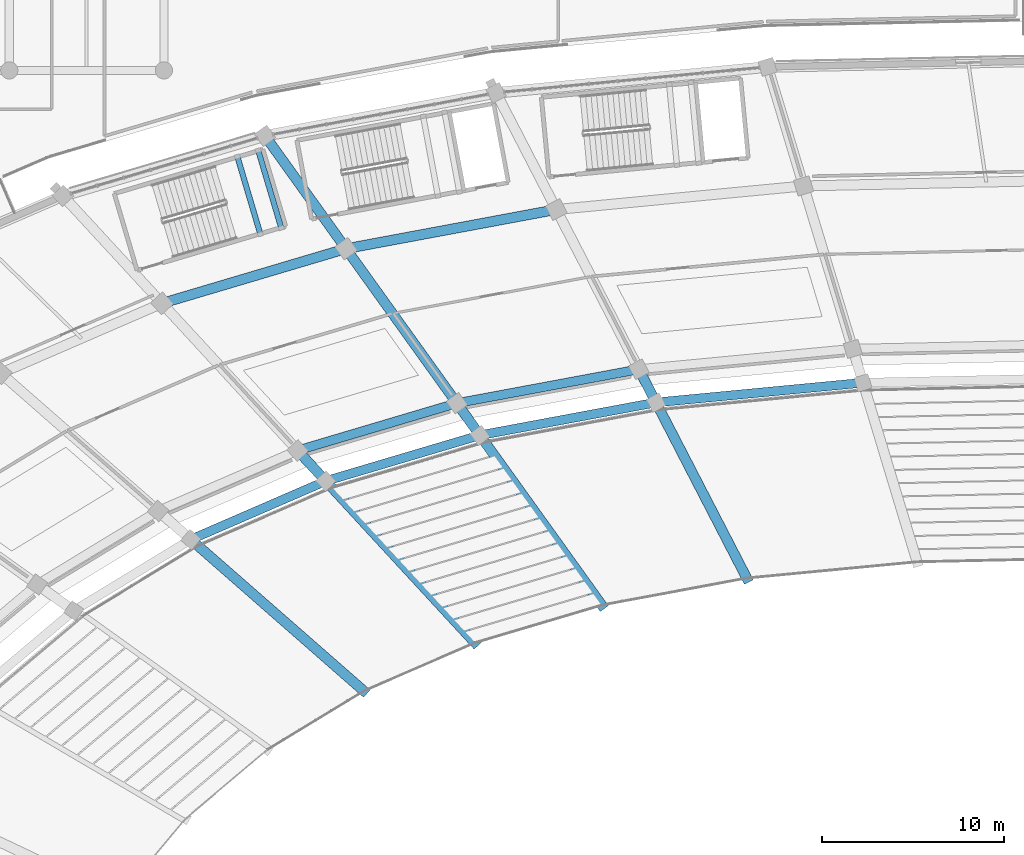
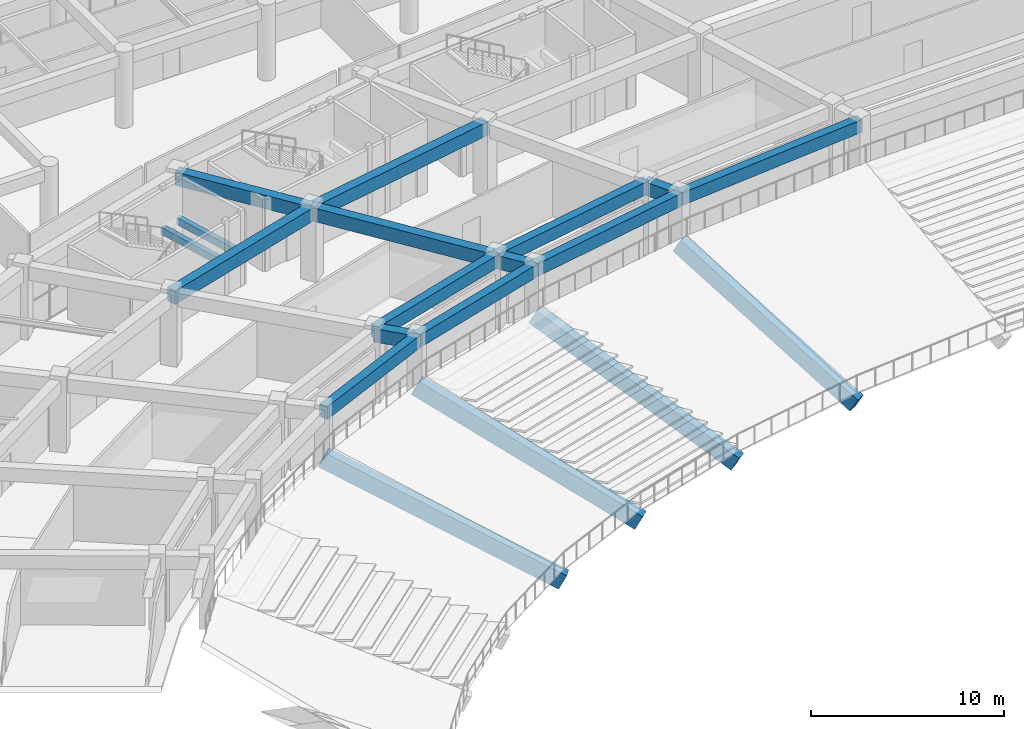
# One storey, part 62 of 152: 19 beams.
"""IFC4 building model written with IfcOpenShell, lengths in metres."""

import ifcopenshell
import ifcopenshell.guid

model = None  # the IFC model being written
_history = None  # IfcOwnerHistory: only IFC2X3 demands one
_inside = {}  # id of a spatial element -> (the spatial element, [elements in it])
_under = {}  # id of a project, library or spatial element -> (it, [spatial elements below it])
_declared = {}  # id of a project -> (the project, [libraries it declares])
_typed = {}  # id of a type object -> (the type object, [elements of that type])
_made_of = {}  # id of a material, layer set ... -> (it, [elements and type objects made of it])


def new_model(schema):
    """Start an empty IFC model of exactly this schema.

    Asked for "IFC4X3", IfcOpenShell would pick the latest addendum, in which some entities
    have other attributes; the version numbers below select the first issue.
    IFC2X3 requires an IfcOwnerHistory on every rooted entity: one is made here for all.
    """
    global model, _history
    if schema == "IFC4X3":
        model = ifcopenshell.file(schema_version=(4, 3, 0, 0))
    else:
        model = ifcopenshell.file(schema=schema)
    _inside.clear()
    _under.clear()
    _declared.clear()
    _typed.clear()
    _made_of.clear()
    _history = None
    if model.schema == "IFC2X3":
        org = make("IfcOrganization", Name="unknown")
        user = make(
            "IfcPersonAndOrganization",
            ThePerson=make("IfcPerson", FamilyName="unknown"),
            TheOrganization=org,
        )
        app = make(
            "IfcApplication",
            ApplicationDeveloper=org,
            Version="unknown",
            ApplicationFullName="unknown",
            ApplicationIdentifier="unknown",
        )
        _history = make(
            "IfcOwnerHistory",
            OwningUser=user,
            OwningApplication=app,
            ChangeAction="ADDED",
            CreationDate=0,
        )
    return model


def make(cls, **values):
    """One entity of the class cls with the attributes given. An attribute that is None is left unset."""
    return model.create_entity(
        cls, **{name: value for name, value in values.items() if value is not None}
    )


def rooted(cls, **values):
    """An entity with a GlobalId (a new one), such as an element, a storey or a relation."""
    return make(cls, GlobalId=ifcopenshell.guid.new(), OwnerHistory=_history, **values)


def si_unit(unit_type, name, prefix=None):
    """IfcSIUnit, for example si_unit("LENGTHUNIT", "METRE", prefix="MILLI")."""
    return make("IfcSIUnit", UnitType=unit_type, Prefix=prefix, Name=name)


def assignment(units):
    """IfcUnitAssignment: the units of a project."""
    return None if units is None else make("IfcUnitAssignment", Units=units)


def point(xyz):
    """IfcCartesianPoint."""
    return None if xyz is None else make("IfcCartesianPoint", Coordinates=xyz)


def direction(xyz):
    """IfcDirection."""
    return None if xyz is None else make("IfcDirection", DirectionRatios=xyz)


def frame(location, z_axis=None, x_axis=None):
    """IfcAxis2Placement3D, a coordinate frame: its origin and axes. An axis left out is left unset."""
    return make(
        "IfcAxis2Placement3D",
        Location=point(location),
        Axis=direction(z_axis),
        RefDirection=direction(x_axis),
    )


def frame_2d(location, x_axis=None):
    """IfcAxis2Placement2D, a coordinate frame in the plane: its origin and x axis."""
    return make(
        "IfcAxis2Placement2D", Location=point(location), RefDirection=direction(x_axis)
    )


def origin():
    """The frame at (0, 0, 0) with its axes left unset."""
    return frame((0.0, 0.0, 0.0))


def origin_2d():
    """The frame at (0, 0) in the plane with its x axis left unset."""
    return frame_2d((0.0, 0.0))


def place(relative_to, where):
    """IfcLocalPlacement: puts the frame where relative to a parent placement (None: the world)."""
    return make(
        "IfcLocalPlacement", PlacementRelTo=relative_to, RelativePlacement=where
    )


def context(
    kind, dimensions, precision=None, world=None, true_north=None, identifier=None
):
    """IfcGeometricRepresentationContext, for example the 3D "Model" context."""
    return make(
        "IfcGeometricRepresentationContext",
        ContextIdentifier=identifier,
        ContextType=kind,
        CoordinateSpaceDimension=dimensions,
        Precision=precision,
        WorldCoordinateSystem=world,
        TrueNorth=true_north,
    )


def subcontext(parent, identifier, kind, view, scale=None):
    """IfcGeometricRepresentationSubContext, for example "Body" below "Model"."""
    return make(
        "IfcGeometricRepresentationSubContext",
        ContextIdentifier=identifier,
        ContextType=kind,
        ParentContext=parent,
        TargetScale=scale,
        TargetView=view,
    )


def project(units=None, contexts=None):
    """IfcProject with its units and contexts."""
    return rooted(
        "IfcProject",
        Name="project",
        RepresentationContexts=contexts,
        UnitsInContext=assignment(units),
    )


def spatial(cls, under=None, at=None, **own):
    """A site, building, storey or space (cls), placed at a placement, below another one or the project."""
    s = rooted(cls, ObjectPlacement=at, **own)
    if under is not None:
        _under.setdefault(under.id(), (under, []))[1].append(s)
    return s


def profile(cls, at=None, kind="AREA", **sizes):
    """A parametric profile (cls). Its sizes go by their IFC names, for example OverallWidth=200.0."""
    return make(cls, ProfileType=kind, Position=at, **sizes)


def rectangle(**sizes):
    """IfcRectangleProfileDef."""
    return profile("IfcRectangleProfileDef", **sizes)


def extrude(swept, where, along, depth):
    """IfcExtrudedAreaSolid: the profile swept, set in the frame where, extruded along a direction by depth."""
    return make(
        "IfcExtrudedAreaSolid",
        SweptArea=swept,
        Position=where,
        ExtrudedDirection=direction(along),
        Depth=depth,
    )


def shape(context_of_items, identifier, shape_type, items):
    """IfcShapeRepresentation: the items that make up one representation, for example the "Body"."""
    return make(
        "IfcShapeRepresentation",
        ContextOfItems=context_of_items,
        RepresentationIdentifier=identifier,
        RepresentationType=shape_type,
        Items=items,
    )


def material(Name=None, Category=None):
    """IfcMaterial."""
    return make("IfcMaterial", Name=Name, Category=Category)


def material_profile(
    of_material, cross_section, Name=None, Category=None, Priority=None
):
    """IfcMaterialProfile: a cross section and its material."""
    return make(
        "IfcMaterialProfile",
        Name=Name,
        Material=of_material,
        Profile=cross_section,
        Priority=Priority,
        Category=Category,
    )


def profile_set(profiles, Name=None, composite=None):
    """IfcMaterialProfileSet."""
    return make(
        "IfcMaterialProfileSet",
        Name=Name,
        MaterialProfiles=profiles,
        CompositeProfile=composite,
    )


def made_of(thing, what):
    """Note that an element or type object is made of a material, layer set ...; save() writes the relation."""
    if what is not None:
        _made_of.setdefault(what.id(), (what, []))[1].append(thing)
    return thing


def type_object(cls, material=None, **own):
    """A type object (cls), such as IfcWallType, which elements share."""
    return made_of(rooted(cls, **own), material)


def element(
    cls,
    number,
    at=None,
    inside=None,
    cuts=None,
    type_object=None,
    material=None,
    context=None,
    identifier="Body",
    shape_type=None,
    held_by="IfcProductDefinitionShape",
    body=None,
    shapes=None,
    **own,
):
    """One element of the class cls, such as IfcWall. Its Tag is "e" and its number.

    at: its placement. inside: the storey or other place that contains it. cuts: it is an
    opening in that element (IfcRelVoidsElement). A single representation is given by context,
    identifier, shape_type and body (its items); several are given by shapes. held_by: the class
    of the entity that holds the representations. save() writes the other relations.
    """
    e = rooted(cls, Tag="e%d" % number, ObjectPlacement=at, **own)
    if body is not None:
        shapes = [shape(context, identifier, shape_type, body)]
    if shapes is not None:
        e.Representation = make(held_by, Representations=shapes)
    if inside is not None:
        _inside.setdefault(inside.id(), (inside, []))[1].append(e)
    if cuts is not None:
        rooted(
            "IfcRelVoidsElement", RelatingBuildingElement=cuts, RelatedOpeningElement=e
        )
    if type_object is not None:
        _typed.setdefault(type_object.id(), (type_object, []))[1].append(e)
    return made_of(e, material)


def aggregate(whole, parts):
    """IfcRelAggregates: a whole, such as a stair, and the parts it consists of."""
    return rooted("IfcRelAggregates", RelatingObject=whole, RelatedObjects=parts)


def save(model, path):
    """Write the relations noted so far, then the file.

    IfcRelAggregates (storeys below a building ...), IfcRelContainedInSpatialStructure (elements
    in a storey), IfcRelDefinesByType, IfcRelAssociatesMaterial and IfcRelDeclares: one each for
    every whole, place, type object, material and project.
    """
    for whole, parts in _under.values():
        aggregate(whole, parts)
    for where, things in _inside.values():
        rooted(
            "IfcRelContainedInSpatialStructure",
            RelatedElements=things,
            RelatingStructure=where,
        )
    for kind, things in _typed.values():
        rooted("IfcRelDefinesByType", RelatedObjects=things, RelatingType=kind)
    for what, things in _made_of.values():
        rooted("IfcRelAssociatesMaterial", RelatedObjects=things, RelatingMaterial=what)
    for by, libraries in _declared.values():
        rooted("IfcRelDeclares", RelatingContext=by, RelatedDefinitions=libraries)
    model.write(path)


model = new_model("IFC4")

# Units and contexts
model_context = context("Model", 3, precision=1e-05, world=origin(), true_north=direction((0.0, 1.0)))
body_context = subcontext(model_context, "Body", "Model", "MODEL_VIEW")
ifc_project = project(units=[si_unit("LENGTHUNIT", "METRE"), si_unit("AREAUNIT", "SQUARE_METRE"), si_unit("VOLUMEUNIT", "CUBIC_METRE"), si_unit("PLANEANGLEUNIT", "RADIAN"), si_unit("MASSUNIT", "GRAM", prefix="KILO")], contexts=[model_context])

# Site, building, storey
site_placement = place(None, origin())
site = spatial("IfcSite", under=ifc_project, at=site_placement, CompositionType="ELEMENT")
building_placement = place(site_placement, origin())
building = spatial("IfcBuilding", under=site, at=building_placement, Name="Mphavela Belvedere Stadium", CompositionType="ELEMENT")
storey_placement = place(building_placement, frame((0.0, 0.0, 5.39990234375)))
storey = spatial("IfcBuildingStorey", under=building, at=storey_placement, Name="L01", CompositionType="ELEMENT", Elevation=5.39990234375)

# Beams
ifc_material_1 = material(Name="Precast concrete C45/55", Category="concrete")
ifc_material_profile_1 = material_profile(ifc_material_1, rectangle(XDim=0.550048828125, YDim=1.0, at=origin_2d()), Name="PC 550x1000")
ifc_profile_set_1 = profile_set([ifc_material_profile_1], Name="Precast concrete C45/55")
beam_type_1 = type_object("IfcBeamType", Name="BM-RAKER-LOWER", PredefinedType="USERDEFINED", material=ifc_profile_set_1)
beam_1_placement = place(storey_placement, frame((91.741943359375, 132.02392578125, -4.75), z_axis=(-0.402030633593, 0.778292840439, 0.482319006648), x_axis=(-0.888466560259, -0.458941359329, 0.0)))
element("IfcBeam", 1, at=beam_1_placement, inside=storey, type_object=beam_type_1, Name="Lower tier precast raker beam RK-L-15", ObjectType="RAKER BEAM", PredefinedType="USERDEFINED", context=body_context, shape_type="SweptSolid", body=[
    extrude(rectangle(XDim=0.550048828125, YDim=1.0, at=origin_2d()), origin(), (0.0, 0.0, 1.0), 12.43994140625),
])
beam_2_placement = place(storey_placement, frame((83.7568359375, 130.53662109375, -4.75), z_axis=(-0.517134900081, 0.720613830932, 0.461830273789), x_axis=(-0.81244596432, -0.583036495479, 0.0)))
element("IfcBeam", 2, at=beam_2_placement, inside=storey, type_object=beam_type_1, Name="Lower tier precast raker beam RK-L-16", ObjectType="RAKER BEAM", PredefinedType="USERDEFINED", context=body_context, shape_type="SweptSolid", body=[
    extrude(rectangle(XDim=0.550048828125, YDim=1.0, at=origin_2d()), origin(), (0.0, 0.0, 1.0), 12.99169921875),
])
beam_3_placement = place(storey_placement, frame((76.770263671875, 128.462890625, -4.75), z_axis=(-0.607566883797, 0.65895529212, 0.443441545979), x_axis=(-0.735192313072, -0.677858586138, 0.0)))
element("IfcBeam", 3, at=beam_3_placement, inside=storey, type_object=beam_type_1, Name="Lower tier precast raker beam RK-L-17", ObjectType="RAKER BEAM", PredefinedType="USERDEFINED", context=body_context, shape_type="SweptSolid", body=[
    extrude(rectangle(XDim=0.550048828125, YDim=1.0, at=origin_2d()), origin(), (0.0, 0.0, 1.0), 13.530517578125),
])
beam_4_placement = place(storey_placement, frame((70.648193359375, 125.80908203125, -4.75), z_axis=(-0.680192771022, 0.595170851122, 0.427912902615), x_axis=(-0.65850597174, -0.752575501317, 0.0)))
element("IfcBeam", 4, at=beam_4_placement, inside=storey, type_object=beam_type_1, Name="Lower tier precast raker beam RK-L-18", ObjectType="RAKER BEAM", PredefinedType="USERDEFINED", context=body_context, shape_type="SweptSolid", body=[
    extrude(rectangle(XDim=0.550048828125, YDim=1.0, at=origin_2d()), origin(), (0.0, 0.0, 1.0), 14.021484375),
])
ifc_material_2 = material(Name="Concrete C40/50", Category="concrete")
ifc_material_profile_2 = material_profile(ifc_material_2, rectangle(XDim=0.300048828125, YDim=0.449951171875, at=origin_2d()), Name="RC 300x450")
ifc_profile_set_2 = profile_set([ifc_material_profile_2], Name="Concrete C40/50")
beam_type_2 = type_object("IfcBeamType", Name="BM-RC300x450", PredefinedType="BEAM", material=ifc_profile_set_2)
beam_5_placement = place(storey_placement, frame((64.94580078125, 150.971923828125, 1.97509765625), z_axis=(-0.284510445837, 0.958672940168, 0.0), x_axis=(-0.958672940168, -0.284510445837, 0.0)))
element("IfcBeam", 5, at=beam_5_placement, inside=storey, type_object=beam_type_2, Name="Core P03 landing trimmer beam L01-1", PredefinedType="BEAM", context=body_context, shape_type="SweptSolid", body=[
    extrude(rectangle(XDim=0.300048828125, YDim=0.449951171875, at=origin_2d()), origin(), (0.0, 0.0, 1.0), 4.469970703125),
])
beam_6_placement = place(storey_placement, frame((66.09619140625, 151.313232421875, 1.97509765625), z_axis=(-0.284495549112, 0.958677361022, 0.0), x_axis=(-0.958677361022, -0.284495549112, 0.0)))
element("IfcBeam", 6, at=beam_6_placement, inside=storey, type_object=beam_type_2, Name="Core P03 landing trimmer beam L01-2", PredefinedType="BEAM", context=body_context, shape_type="SweptSolid", body=[
    extrude(rectangle(XDim=0.300048828125, YDim=0.449951171875, at=origin_2d()), origin(), (0.0, 0.0, 1.0), 4.47021484375),
])
ifc_material_3 = material(Name="Concrete C40/50", Category="concrete")
ifc_material_profile_3 = material_profile(ifc_material_3, rectangle(XDim=0.5, YDim=0.800048828125, at=origin_2d()), Name="RC 500x800")
ifc_profile_set_3 = profile_set([ifc_material_profile_3], Name="Concrete C40/50")
beam_type_3 = type_object("IfcBeamType", Name="BM-RC500x800", PredefinedType="BEAM", material=ifc_profile_set_3)
beam_7_placement = place(storey_placement, frame((98.142822265625, 142.79296875, 4.150146484375), z_axis=(-0.995485216305, -0.094916722014, 0.0), x_axis=(0.094916722014, -0.995485216305, 0.0)))
element("IfcBeam", 7, at=beam_7_placement, inside=storey, type_object=beam_type_3, Name="Circumferential girder L01 R1-14", PredefinedType="BEAM", context=body_context, shape_type="SweptSolid", body=[
    extrude(rectangle(XDim=0.5, YDim=0.800048828125, at=origin_2d()), origin(), (0.0, 0.0, 1.0), 11.453857421875),
])
beam_8_placement = place(storey_placement, frame((86.74072265625, 141.705810546875, 4.150146484375), z_axis=(-0.983092994202, -0.183106976248, 0.0), x_axis=(0.183106976248, -0.983092994202, 0.0)))
element("IfcBeam", 8, at=beam_8_placement, inside=storey, type_object=beam_type_3, Name="Circumferential girder L01 R1-15", PredefinedType="BEAM", context=body_context, shape_type="SweptSolid", body=[
    extrude(rectangle(XDim=0.5, YDim=0.800048828125, at=origin_2d()), origin(), (0.0, 0.0, 1.0), 9.869140625),
])
beam_9_placement = place(storey_placement, frame((85.79638671875, 143.53369140625, 4.150146484375), z_axis=(-0.983098802226, -0.183075790485, 0.0), x_axis=(0.183075790485, -0.983098802226, 0.0)))
element("IfcBeam", 9, at=beam_9_placement, inside=storey, type_object=beam_type_3, Name="Circumferential girder L01 R2-15", PredefinedType="BEAM", context=body_context, shape_type="SweptSolid", body=[
    extrude(rectangle(XDim=0.5, YDim=0.800048828125, at=origin_2d()), origin(), (0.0, 0.0, 1.0), 10.198974609375),
])
beam_10_placement = place(storey_placement, frame((77.038330078125, 139.898681640625, 4.150146484375), z_axis=(-0.958656973737, -0.284564240033, 0.0), x_axis=(0.284564240033, -0.958656973737, 0.0)))
element("IfcBeam", 10, at=beam_10_placement, inside=storey, type_object=beam_type_3, Name="Circumferential girder L01 R1-16", PredefinedType="BEAM", context=body_context, shape_type="SweptSolid", body=[
    extrude(rectangle(XDim=0.5, YDim=0.800048828125, at=origin_2d()), origin(), (0.0, 0.0, 1.0), 8.854736328125),
])
beam_11_placement = place(storey_placement, frame((75.769775390625, 141.66650390625, 4.150146484375), z_axis=(-0.958656419443, -0.284566107363, 0.0), x_axis=(0.284566107363, -0.958656419443, 0.0)))
element("IfcBeam", 11, at=beam_11_placement, inside=storey, type_object=beam_type_3, Name="Circumferential girder L01 R2-16", PredefinedType="BEAM", context=body_context, shape_type="SweptSolid", body=[
    extrude(rectangle(XDim=0.5, YDim=0.800048828125, at=origin_2d()), origin(), (0.0, 0.0, 1.0), 9.15087890625),
])
beam_12_placement = place(storey_placement, frame((68.549560546875, 137.37890625, 4.150146484375), z_axis=(-0.917503251148, -0.397728279273, 0.0), x_axis=(0.397728279273, -0.917503251148, 0.0)))
element("IfcBeam", 12, at=beam_12_placement, inside=storey, type_object=beam_type_3, Name="Circumferential girder L01 R1-17", PredefinedType="BEAM", context=body_context, shape_type="SweptSolid", body=[
    extrude(rectangle(XDim=0.5, YDim=0.800048828125, at=origin_2d()), origin(), (0.0, 0.0, 1.0), 8.107666015625),
])
ifc_material_4 = material(Name="Concrete C40/50", Category="concrete")
ifc_material_profile_4 = material_profile(ifc_material_4, rectangle(XDim=0.550048828125, YDim=0.85009765625, at=origin_2d()), Name="RC 550x850")
ifc_profile_set_4 = profile_set([ifc_material_profile_4], Name="Concrete C40/50")
beam_type_4 = type_object("IfcBeamType", Name="BM-RC550x850", PredefinedType="BEAM", material=ifc_profile_set_4)
beam_13_placement = place(storey_placement, frame((81.249755859375, 152.33544921875, 4.125), z_axis=(-0.983097725009, -0.18308157494, 0.0), x_axis=(0.18308157494, -0.983097725009, 0.0)))
element("IfcBeam", 13, at=beam_13_placement, inside=storey, type_object=beam_type_4, Name="Circumferential girder L01 R3-15", PredefinedType="BEAM", context=body_context, shape_type="SweptSolid", body=[
    extrude(rectangle(XDim=0.550048828125, YDim=0.85009765625, at=origin_2d()), origin(), (0.0, 0.0, 1.0), 11.786865234375),
])
beam_14_placement = place(storey_placement, frame((86.74072265625, 141.705810546875, 4.125), z_axis=(-0.458993514161, 0.888439617508, 0.0), x_axis=(-0.888439617508, -0.458993514161, 0.0)))
element("IfcBeam", 14, at=beam_14_placement, inside=storey, type_object=beam_type_4, Name="Radial concourse girder L01 R1R2-15", PredefinedType="BEAM", context=body_context, shape_type="SweptSolid", body=[
    extrude(rectangle(XDim=0.550048828125, YDim=0.85009765625, at=origin_2d()), origin(), (0.0, 0.0, 1.0), 2.057373046875),
])
beam_15_placement = place(storey_placement, frame((69.662109375, 150.177490234375, 4.125), z_axis=(-0.958655230784, -0.284570111731, 0.0), x_axis=(0.284570111731, -0.958655230784, 0.0)))
element("IfcBeam", 15, at=beam_15_placement, inside=storey, type_object=beam_type_4, Name="Circumferential girder L01 R3-16", PredefinedType="BEAM", context=body_context, shape_type="SweptSolid", body=[
    extrude(rectangle(XDim=0.550048828125, YDim=0.85009765625, at=origin_2d()), origin(), (0.0, 0.0, 1.0), 10.57568359375),
])
beam_16_placement = place(storey_placement, frame((77.038330078125, 139.898681640625, 4.125), z_axis=(-0.583009326667, 0.812465460816, 0.0), x_axis=(-0.812465460816, -0.583009326667, 0.0)))
element("IfcBeam", 16, at=beam_16_placement, inside=storey, type_object=beam_type_4, Name="Radial concourse girder L01 R1R2-16", PredefinedType="BEAM", context=body_context, shape_type="SweptSolid", body=[
    extrude(rectangle(XDim=0.550048828125, YDim=0.85009765625, at=origin_2d()), origin(), (0.0, 0.0, 1.0), 2.17578125),
])
beam_17_placement = place(storey_placement, frame((75.769775390625, 141.66650390625, 4.125), z_axis=(-0.583031296474, 0.812449695262, 0.0), x_axis=(-0.812449695262, -0.583031296474, 0.0)))
element("IfcBeam", 17, at=beam_17_placement, inside=storey, type_object=beam_type_4, Name="Radial concourse girder L01 R2R3-16", PredefinedType="BEAM", context=body_context, shape_type="SweptSolid", body=[
    extrude(rectangle(XDim=0.550048828125, YDim=0.85009765625, at=origin_2d()), origin(), (0.0, 0.0, 1.0), 10.475830078125),
])
beam_18_placement = place(storey_placement, frame((69.662109375, 150.177490234375, 4.125), z_axis=(-0.583043812448, 0.812440713385, 0.0), x_axis=(-0.812440713385, -0.583043812448, 0.0)))
element("IfcBeam", 18, at=beam_18_placement, inside=storey, type_object=beam_type_4, Name="Radial concourse girder L01 R3R4-16", PredefinedType="BEAM", context=body_context, shape_type="SweptSolid", body=[
    extrude(rectangle(XDim=0.550048828125, YDim=0.85009765625, at=origin_2d()), origin(), (0.0, 0.0, 1.0), 7.6552734375),
])
beam_19_placement = place(storey_placement, frame((68.549560546875, 137.37890625, 4.125), z_axis=(-0.677846038514, 0.735203881975, 0.0), x_axis=(-0.735203881975, -0.677846038514, 0.0)))
element("IfcBeam", 19, at=beam_19_placement, inside=storey, type_object=beam_type_4, Name="Radial concourse girder L01 R1R2-17", PredefinedType="BEAM", context=body_context, shape_type="SweptSolid", body=[
    extrude(rectangle(XDim=0.550048828125, YDim=0.85009765625, at=origin_2d()), origin(), (0.0, 0.0, 1.0), 2.2900390625),
])

save(model, "model.ifc")
